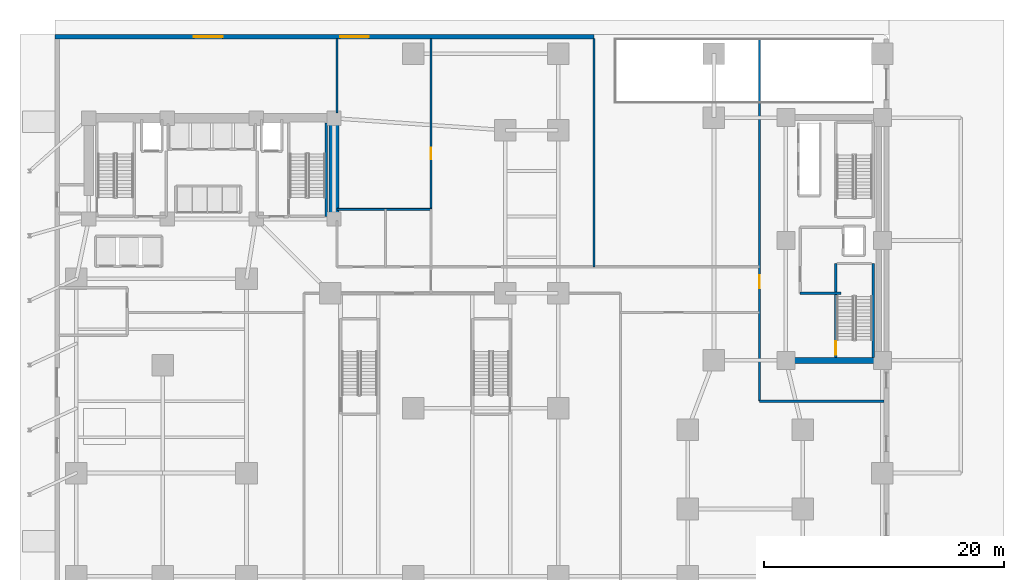
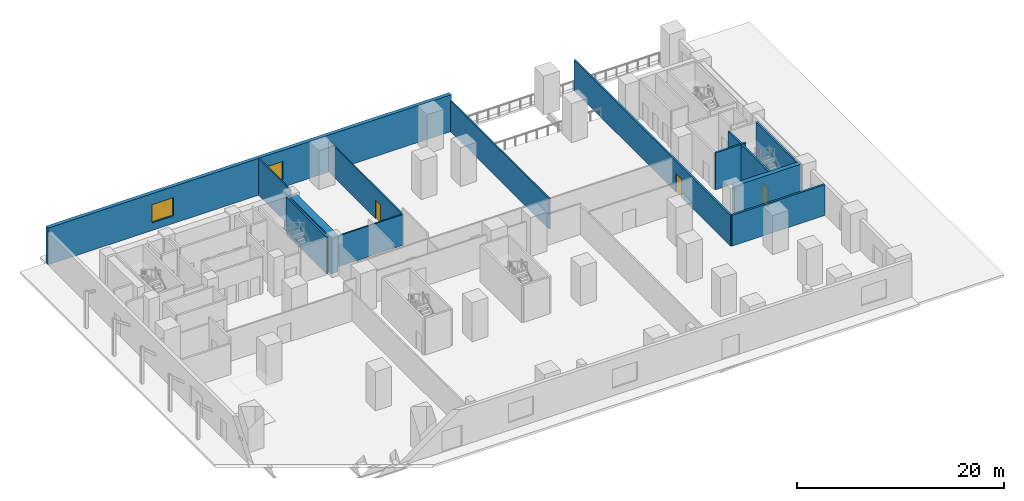
# One storey, part 8 of 14: 13 walls, 3 doors, 2 windows, 5 openings.
"""IFC4 building model written with IfcOpenShell, lengths in metres."""

from ifc_helpers import new_model, si_unit, direction, frame, frame_2d, origin, place, context, subcontext, project, spatial, rectangle, extrude, material, layer, layer_set, type_object, element, fill, save


model = new_model("IFC4")

# Units and contexts
model_context = context("Model", 3, precision=1e-05, world=origin(), true_north=direction((0.0, 1.0)))
body_context = subcontext(model_context, "Body", "Model", "MODEL_VIEW")
ifc_project = project(units=[si_unit("LENGTHUNIT", "METRE"), si_unit("AREAUNIT", "SQUARE_METRE"), si_unit("VOLUMEUNIT", "CUBIC_METRE"), si_unit("PLANEANGLEUNIT", "RADIAN"), si_unit("MASSUNIT", "GRAM", prefix="KILO")], contexts=[model_context])

# Site, building, storey
site_placement = place(None, origin())
site = spatial("IfcSite", under=ifc_project, at=site_placement, CompositionType="ELEMENT")
building_placement = place(site_placement, origin())
building = spatial("IfcBuilding", under=site, at=building_placement, Name="Kuzgunbayir Cultural Tower", CompositionType="ELEMENT")
storey_placement = place(building_placement, origin())
storey = spatial("IfcBuildingStorey", under=building, at=storey_placement, Name="L00", CompositionType="ELEMENT", Elevation=0.0)

# Wall
ifc_material_1 = material(Name="Concrete C60/75", Category="concrete")
ifc_layer_1 = layer(ifc_material_1, 0.800048828125)
ifc_layer_set_1 = layer_set([ifc_layer_1], Name="Concrete C60/75")
wall_type_1 = type_object("IfcWallType", Name="WAL-CORE-800", PredefinedType="SHEAR", material=ifc_layer_set_1)
wall_1_placement = place(storey_placement, frame((26.89990234375, 33.800048828125, 0.0), z_axis=(0.0, 0.0, 1.0), x_axis=(0.0, 1.0, 0.0)))
element("IfcWall", 1, at=wall_1_placement, inside=storey, type_object=wall_type_1, Name="L00 T1 Core East Shear Wall", PredefinedType="SHEAR", context=body_context, shape_type="SweptSolid", body=[
    extrude(rectangle(XDim=7.949951171875, YDim=0.800048828125, at=frame_2d((3.97509765625, 0.0))), origin(), (0.0, 0.0, 1.0), 4.35009765625),
])

# Wall, openings, windows
ifc_material_2 = material(Name="Honed Basalt Plinth Stone", Category="masonry")
ifc_layer_2 = layer(ifc_material_2, 0.39990234375)
ifc_layer_set_2 = layer_set([ifc_layer_2], Name="Honed Basalt Plinth Stone")
wall_type_2 = type_object("IfcWallType", Name="WAL-EXT-GRANITE-400", PredefinedType="STANDARD", material=ifc_layer_set_2)
wall_2_placement = place(storey_placement, frame((48.60009765625, 49.0, 0.0), z_axis=(0.0, 0.0, 1.0), x_axis=(-1.0, 0.0, 0.0)))
wall_2 = element("IfcWall", 2, at=wall_2_placement, inside=storey, type_object=wall_type_2, Name="L00 Podium North Limestone Facade", PredefinedType="STANDARD", context=body_context, shape_type="SweptSolid", body=[
    extrude(rectangle(XDim=45.0, YDim=0.39990234375, at=frame_2d((22.5, 0.0))), origin(), (0.0, 0.0, 1.0), 4.35009765625),
])
opening_1_placement = place(wall_2_placement, frame((18.800048828125, 0.0, 0.89990234375)))
opening_1 = element("IfcOpeningElement", 3, at=opening_1_placement, cuts=wall_2, Name="Opening WG-24", PredefinedType="OPENING", context=body_context, shape_type="SweptSolid", body=[
    extrude(rectangle(XDim=2.39990234375, YDim=2.14990234375, at=frame_2d((1.199951171875, 1.074951171875))), frame((0.0, 0.2099609375, 0.0), z_axis=(0.0, -1.0, 0.0), x_axis=(1.0, 0.0, 0.0)), (0.0, 0.0, 1.0), 0.419921875),
])
opening_2_placement = place(wall_2_placement, frame((31.0, 0.0, 0.89990234375)))
opening_2 = element("IfcOpeningElement", 4, at=opening_2_placement, cuts=wall_2, Name="Opening WG-24", PredefinedType="OPENING", context=body_context, shape_type="SweptSolid", body=[
    extrude(rectangle(XDim=2.39990234375, YDim=2.14990234375, at=frame_2d((1.199951171875, 1.074951171875))), frame((0.0, 0.2099609375, 0.0), z_axis=(0.0, -1.0, 0.0), x_axis=(1.0, 0.0, 0.0)), (0.0, 0.0, 1.0), 0.419921875),
])
ifc_material_3 = material(Name="Solar-Control Triple Glazing", Category="glass")
window_type = type_object("IfcWindowType", Name="WIN-GALLERY-24", PartitioningType="SINGLE_PANEL", PredefinedType="WINDOW", material=ifc_material_3)
window_1_placement = place(opening_1_placement, origin())
window_1 = element("IfcWindow", 5, at=window_1_placement, inside=storey, type_object=window_type, Name="L00 Podium North Gallery Window 1", OverallHeight=2.14990234375, OverallWidth=2.39990234375, PartitioningType="SINGLE_PANEL", PredefinedType="WINDOW", context=body_context, shape_type="SweptSolid", body=[
    extrude(rectangle(XDim=2.39990234375, YDim=2.14990234375, at=frame_2d((1.199951171875, 1.074951171875))), frame((0.0, 0.030029296875, 0.0), z_axis=(0.0, -1.0, 0.0), x_axis=(1.0, 0.0, 0.0)), (0.0, 0.0, 1.0), 0.06005859375),
])
fill(opening_1, window_1)
window_2_placement = place(opening_2_placement, origin())
window_2 = element("IfcWindow", 6, at=window_2_placement, inside=storey, type_object=window_type, Name="L00 Podium North Gallery Window 2", OverallHeight=2.14990234375, OverallWidth=2.39990234375, PartitioningType="SINGLE_PANEL", PredefinedType="WINDOW", context=body_context, shape_type="SweptSolid", body=[
    extrude(rectangle(XDim=2.39990234375, YDim=2.14990234375, at=frame_2d((1.199951171875, 1.074951171875))), frame((0.0, 0.030029296875, 0.0), z_axis=(0.0, -1.0, 0.0), x_axis=(1.0, 0.0, 0.0)), (0.0, 0.0, 1.0), 0.06005859375),
])
fill(opening_2, window_2)

# Wall, opening, door
ifc_material_4 = material(Name="Acoustic Double-Stud Drywall", Category="gypsum")
ifc_layer_3 = layer(ifc_material_4, 0.14990234375)
ifc_layer_set_3 = layer_set([ifc_layer_3], Name="Acoustic Double-Stud Drywall")
wall_type_3 = type_object("IfcWallType", Name="WAL-PART-ACOUSTIC-150", PredefinedType="PARTITIONING", material=ifc_layer_set_3)
wall_3_placement = place(storey_placement, frame((35.0, 34.60009765625, 0.0), z_axis=(0.0, 0.0, 1.0), x_axis=(0.0, 1.0, 0.0)))
wall_3 = element("IfcWall", 7, at=wall_3_placement, inside=storey, type_object=wall_type_3, Name="L00 Archive West Wall", PredefinedType="PARTITIONING", context=body_context, shape_type="SweptSolid", body=[
    extrude(rectangle(XDim=14.25, YDim=0.14990234375, at=frame_2d((7.125, 0.0))), origin(), (0.0, 0.0, 1.0), 3.6298828125),
])
opening_3_placement = place(wall_3_placement, frame((4.199951171875, 0.0, 0.0)))
opening_3 = element("IfcOpeningElement", 8, at=opening_3_placement, cuts=wall_3, Name="Opening DI-90", PredefinedType="OPENING", context=body_context, shape_type="SweptSolid", body=[
    extrude(rectangle(XDim=0.949951171875, YDim=2.14990234375, at=frame_2d((0.47509765625, 1.074951171875))), frame((0.0, 0.0849609375, 0.0), z_axis=(0.0, -1.0, 0.0), x_axis=(1.0, 0.0, 0.0)), (0.0, 0.0, 1.0), 0.169921875),
])
ifc_material_5 = material(Name="Veneered Oak Single Leaf", Category="wood")
door_type_1 = type_object("IfcDoorType", Name="DR-INT-90", OperationType="NOTDEFINED", PredefinedType="DOOR", material=ifc_material_5)
door_1_placement = place(opening_3_placement, origin())
door_1 = element("IfcDoor", 9, at=door_1_placement, inside=storey, type_object=door_type_1, Name="L00 Collection Study Room Door", OperationType="SINGLE_SWING_LEFT", OverallHeight=2.14990234375, OverallWidth=0.949951171875, PredefinedType="DOOR", context=body_context, shape_type="SweptSolid", body=[
    extrude(rectangle(XDim=0.949951171875, YDim=2.14990234375, at=frame_2d((0.47509765625, 1.074951171875))), frame((0.0, 0.02490234375, 0.0), z_axis=(0.0, -1.0, 0.0), x_axis=(1.0, 0.0, 0.0)), (0.0, 0.0, 1.0), 0.050048828125),
])
fill(opening_3, door_1)

# Walls
wall_4_placement = place(storey_placement, frame((48.60009765625, 29.800048828125, 0.0), z_axis=(0.0, 0.0, 1.0), x_axis=(0.0, 1.0, 0.0)))
element("IfcWall", 10, at=wall_4_placement, inside=storey, type_object=wall_type_3, Name="L00 North Gallery Divider", PredefinedType="PARTITIONING", context=body_context, shape_type="SweptSolid", body=[
    extrude(rectangle(XDim=19.050048828125, YDim=0.14990234375, at=frame_2d((9.52490234375, 0.0))), origin(), (0.0, 0.0, 1.0), 3.6298828125),
])
ifc_material_6 = material(Name="Aerated Concrete Blockwork", Category="masonry")
ifc_layer_4 = layer(ifc_material_6, 0.199951171875)
ifc_layer_set_4 = layer_set([ifc_layer_4], Name="Aerated Concrete Blockwork")
wall_type_4 = type_object("IfcWallType", Name="WAL-PART-FIRE-200", PredefinedType="PARTITIONING", material=ifc_layer_set_4)
wall_5_placement = place(storey_placement, frame((65.800048828125, 27.60009765625, 0.0), z_axis=(0.0, 0.0, 1.0), x_axis=(1.0, 0.0, 0.0)))
element("IfcWall", 11, at=wall_5_placement, inside=storey, type_object=wall_type_4, Name="L00 FFL-3 Lobby South Fire Wall", PredefinedType="PARTITIONING", context=body_context, shape_type="SweptSolid", body=[
    extrude(rectangle(XDim=3.39990234375, YDim=0.199951171875, at=frame_2d((1.699951171875, 0.0))), origin(), (0.0, 0.0, 1.0), 4.35009765625),
])

# Wall, opening, door
wall_6_placement = place(storey_placement, frame((62.39990234375, 18.60009765625, 0.0), z_axis=(0.0, 0.0, 1.0), x_axis=(0.0, 1.0, 0.0)))
wall_6 = element("IfcWall", 12, at=wall_6_placement, inside=storey, type_object=wall_type_4, Name="L00 Companion Core West Wall", PredefinedType="PARTITIONING", context=body_context, shape_type="SweptSolid", body=[
    extrude(rectangle(XDim=30.25, YDim=0.199951171875, at=frame_2d((15.125, 0.0))), origin(), (0.0, 0.0, 1.0), 3.6298828125),
])
opening_4_placement = place(wall_6_placement, frame((9.39990234375, 0.0, 0.0)))
opening_4 = element("IfcOpeningElement", 13, at=opening_4_placement, cuts=wall_6, Name="Opening DR-STAIR-90", PredefinedType="OPENING", context=body_context, shape_type="SweptSolid", body=[
    extrude(rectangle(XDim=1.10009765625, YDim=2.14990234375, at=frame_2d((0.550048828125, 1.074951171875))), frame((0.0, 0.10986328125, 0.0), z_axis=(0.0, -1.0, 0.0), x_axis=(1.0, 0.0, 0.0)), (0.0, 0.0, 1.0), 0.219970703125),
])
ifc_material_7 = material(Name="Steel S355J2", Category="steel")
door_type_2 = type_object("IfcDoorType", Name="DR-STAIR-90", OperationType="NOTDEFINED", PredefinedType="DOOR", material=ifc_material_7)
door_2_placement = place(opening_4_placement, origin())
door_2 = element("IfcDoor", 14, at=door_2_placement, inside=storey, type_object=door_type_2, Name="L00 Companion Core Concourse Door", OperationType="SINGLE_SWING_LEFT", OverallHeight=2.14990234375, OverallWidth=1.10009765625, PredefinedType="DOOR", context=body_context, shape_type="SweptSolid", body=[
    extrude(rectangle(XDim=1.10009765625, YDim=2.14990234375, at=frame_2d((0.550048828125, 1.074951171875))), frame((0.0, 0.02490234375, 0.0), z_axis=(0.0, -1.0, 0.0), x_axis=(1.0, 0.0, 0.0)), (0.0, 0.0, 1.0), 0.050048828125),
])
fill(opening_4, door_2)

# Walls
ifc_material_8 = material(Name="Concrete C40/50", Category="concrete")
ifc_layer_5 = layer(ifc_material_8, 0.219970703125)
ifc_layer_set_5 = layer_set([ifc_layer_5], Name="Concrete C40/50")
wall_type_5 = type_object("IfcWallType", Name="WAL-PART-PLANT-200", PredefinedType="PARTITIONING", material=ifc_layer_set_5)
wall_7_placement = place(storey_placement, frame((62.39990234375, 18.60009765625, 0.0), z_axis=(0.0, 0.0, 1.0), x_axis=(1.0, 0.0, 0.0)))
element("IfcWall", 15, at=wall_7_placement, inside=storey, type_object=wall_type_5, Name="L00 East Protected Exit Corridor South Fire Wall", PredefinedType="PARTITIONING", context=body_context, shape_type="SweptSolid", body=[
    extrude(rectangle(XDim=10.400146484375, YDim=0.219970703125, at=frame_2d((5.2001953125, 0.0))), origin(), (0.0, 0.0, 1.0), 3.6298828125),
])
ifc_material_9 = material(Name="Moisture-Resistant Tile Partition", Category="gypsum")
ifc_layer_6 = layer(ifc_material_9, 0.14990234375)
ifc_layer_set_6 = layer_set([ifc_layer_6], Name="Moisture-Resistant Tile Partition")
wall_type_6 = type_object("IfcWallType", Name="WAL-PART-WET-150", PredefinedType="PARTITIONING", material=ifc_layer_set_6)
wall_8_placement = place(storey_placement, frame((27.14990234375, 42.64990234375, 0.0), z_axis=(0.0, 0.0, 1.0), x_axis=(0.0, 1.0, 0.0)))
element("IfcWall", 16, at=wall_8_placement, inside=storey, type_object=wall_type_6, Name="L00 Core East Partition North", PredefinedType="PARTITIONING", context=body_context, shape_type="SweptSolid", body=[
    extrude(rectangle(XDim=6.2001953125, YDim=0.14990234375, at=frame_2d((3.10009765625, 0.0))), origin(), (0.0, 0.0, 1.0), 4.35009765625),
])
wall_9_placement = place(storey_placement, frame((27.14990234375, 34.60009765625, 0.0), z_axis=(0.0, 0.0, 1.0), x_axis=(1.0, 0.0, 0.0)))
element("IfcWall", 17, at=wall_9_placement, inside=storey, type_object=wall_type_6, Name="L00 Restroom North Back Wall", PredefinedType="PARTITIONING", context=body_context, shape_type="SweptSolid", body=[
    extrude(rectangle(XDim=7.85009765625, YDim=0.14990234375, at=frame_2d((3.925048828125, 0.0))), origin(), (0.0, 0.0, 1.0), 3.6298828125),
])
ifc_layer_7 = layer(ifc_material_8, 0.199951171875)
ifc_layer_set_7 = layer_set([ifc_layer_7], Name="Concrete C40/50")
wall_type_7 = type_object("IfcWallType", Name="WAL-STAIR-RC-200", PredefinedType="SHEAR", material=ifc_layer_set_7)
wall_10_placement = place(storey_placement, frame((26.239990234375, 34.02001953125, 0.0), z_axis=(0.0, 0.0, 1.0), x_axis=(0.0, 1.0, 0.0)))
element("IfcWall", 18, at=wall_10_placement, inside=storey, type_object=wall_type_7, Name="L00 Stair ST-2 East Structural Wall", PredefinedType="SHEAR", context=body_context, shape_type="SweptSolid", body=[
    extrude(rectangle(XDim=7.780029296875, YDim=0.199951171875, at=frame_2d((3.89013671875, 0.0))), origin(), (0.0, 0.0, 1.0), 4.35009765625),
])

# Wall, opening, door
wall_11_placement = place(storey_placement, frame((68.760009765625, 22.260009765625, 0.0), z_axis=(0.0, 0.0, 1.0), x_axis=(0.0, 1.0, 0.0)))
wall_11 = element("IfcWall", 19, at=wall_11_placement, inside=storey, type_object=wall_type_7, Name="L00 Stair ST-3 West Structural Wall", PredefinedType="SHEAR", context=body_context, shape_type="SweptSolid", body=[
    extrude(rectangle(XDim=7.820068359375, YDim=0.199951171875, at=frame_2d((3.91015625, 0.0))), origin(), (0.0, 0.0, 1.0), 4.35009765625),
])
opening_5_placement = place(wall_11_placement, frame((0.219970703125, 0.0, 0.0)))
opening_5 = element("IfcOpeningElement", 20, at=opening_5_placement, cuts=wall_11, Name="Opening DR-STAIR-90", PredefinedType="OPENING", context=body_context, shape_type="SweptSolid", body=[
    extrude(rectangle(XDim=1.10009765625, YDim=2.14990234375, at=frame_2d((0.550048828125, 1.074951171875))), frame((0.0, 0.10986328125, 0.0), z_axis=(0.0, -1.0, 0.0), x_axis=(1.0, 0.0, 0.0)), (0.0, 0.0, 1.0), 0.219970703125),
])
door_3_placement = place(opening_5_placement, origin())
door_3 = element("IfcDoor", 21, at=door_3_placement, inside=storey, type_object=door_type_2, Name="L00 Stair ST-3 Fire Door", OperationType="SINGLE_SWING_RIGHT", OverallHeight=2.14990234375, OverallWidth=1.10009765625, PredefinedType="DOOR", context=body_context, shape_type="SweptSolid", body=[
    extrude(rectangle(XDim=1.10009765625, YDim=2.14990234375, at=frame_2d((0.550048828125, 1.074951171875))), frame((0.0, 0.02490234375, 0.0), z_axis=(0.0, -1.0, 0.0), x_axis=(1.0, 0.0, 0.0)), (0.0, 0.0, 1.0), 0.050048828125),
])
fill(opening_5, door_3)

# Walls
wall_12_placement = place(storey_placement, frame((71.8798828125, 22.260009765625, 0.0), z_axis=(0.0, 0.0, 1.0), x_axis=(0.0, 1.0, 0.0)))
element("IfcWall", 22, at=wall_12_placement, inside=storey, type_object=wall_type_7, Name="L00 Stair ST-3 East Structural Wall", PredefinedType="SHEAR", context=body_context, shape_type="SweptSolid", body=[
    extrude(rectangle(XDim=7.820068359375, YDim=0.199951171875, at=frame_2d((3.91015625, 0.0))), origin(), (0.0, 0.0, 1.0), 4.35009765625),
])
ifc_layer_8 = layer(ifc_material_1, 0.5)
ifc_layer_set_8 = layer_set([ifc_layer_8], Name="Concrete C60/75")
wall_type_8 = type_object("IfcWallType", Name="WAL-T2-CORE-500", PredefinedType="SHEAR", material=ifc_layer_set_8)
wall_13_placement = place(storey_placement, frame((64.60009765625, 22.0, 0.0), z_axis=(0.0, 0.0, 1.0), x_axis=(1.0, 0.0, 0.0)))
element("IfcWall", 23, at=wall_13_placement, inside=storey, type_object=wall_type_8, Name="L00 Companion Core South Shear Wall", PredefinedType="SHEAR", context=body_context, shape_type="SweptSolid", body=[
    extrude(rectangle(XDim=7.5, YDim=0.5, at=frame_2d((3.75, 0.0))), origin(), (0.0, 0.0, 1.0), 4.35009765625),
])

save(model, "model.ifc")
